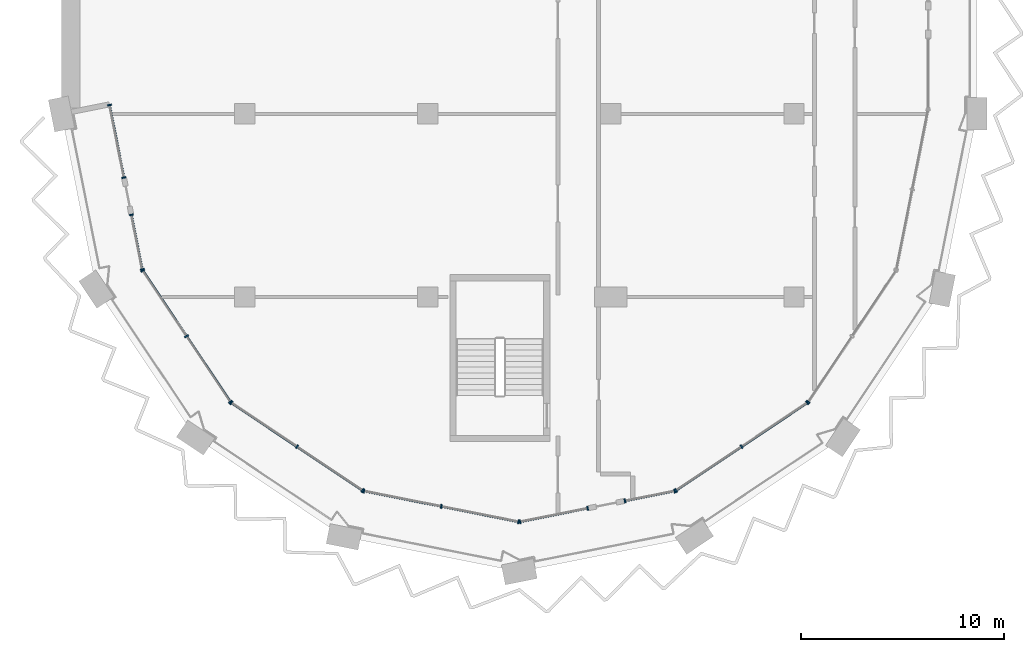
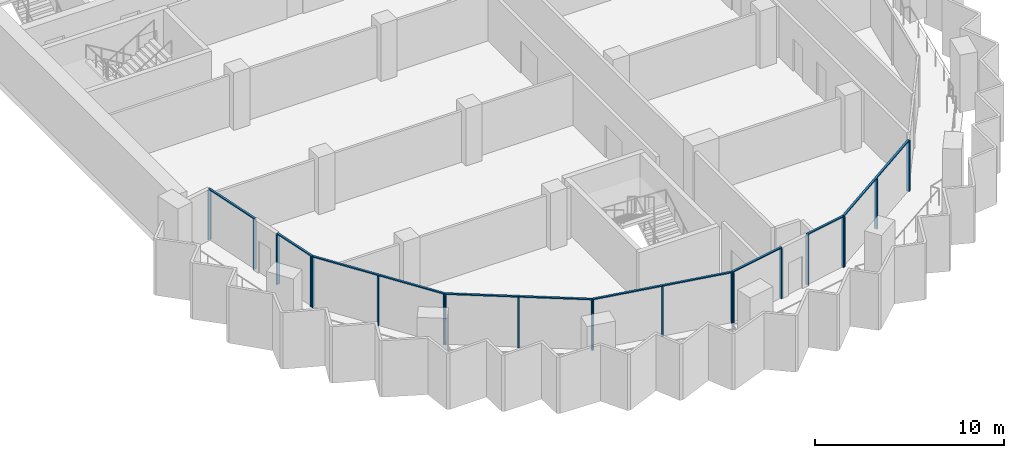
# One storey, part 2 of 15: 29 members, 9 elements without a shape of their own.
"""IFC4 building model written with IfcOpenShell, lengths in metres."""

from ifc_helpers import new_model, si_unit, direction, frame, origin, origin_2d, place, context, subcontext, project, spatial, rectangle, extrude, material, material_profile, profile_set, type_object, element, aggregate, save


model = new_model("IFC4")

# Units and contexts
model_context = context("Model", 3, precision=1e-05, world=origin(), true_north=direction((0.0, 1.0)))
body_context = subcontext(model_context, "Body", "Model", "MODEL_VIEW")
ifc_project = project(units=[si_unit("LENGTHUNIT", "METRE"), si_unit("AREAUNIT", "SQUARE_METRE"), si_unit("VOLUMEUNIT", "CUBIC_METRE"), si_unit("PLANEANGLEUNIT", "RADIAN"), si_unit("MASSUNIT", "GRAM", prefix="KILO")], contexts=[model_context])

# Site, building, storey
site_placement = place(None, origin())
site = spatial("IfcSite", under=ifc_project, at=site_placement, CompositionType="ELEMENT")
building_placement = place(site_placement, origin())
building = spatial("IfcBuilding", under=site, at=building_placement, Name="Hunhe Ridgeline Campus", CompositionType="ELEMENT")
storey_placement = place(building_placement, frame((0.0, 0.0, 231.800048828125)))
storey = spatial("IfcBuildingStorey", under=building, at=storey_placement, Name="L59", CompositionType="ELEMENT", Elevation=231.800048828125)

# Curtain wall, members
ifc_material = material(Name="Aluminium 6063", Category="aluminium")
curtain_wall_type = type_object("IfcCurtainWallType", Name="Curtain wall CW-5", PredefinedType="NOTDEFINED", material=ifc_material)
curtain_wall_1_placement = place(storey_placement, origin())
curtain_wall_1 = element("IfcCurtainWall", 1, at=curtain_wall_1_placement, inside=storey, type_object=curtain_wall_type, Name="Curtain wall 01", PredefinedType="NOTDEFINED")
ifc_material_profile_1 = material_profile(ifc_material, rectangle(XDim=0.199951171875, YDim=0.070068359375, at=origin_2d()))
ifc_profile_set_1 = profile_set([ifc_material_profile_1], Name="Aluminium 6063")
member_type_1 = type_object("IfcMemberType", Name="CW-5 aluminium mullion", PredefinedType="MULLION", material=ifc_profile_set_1)
member_1_placement = place(storey_placement, frame((2.361572265625, 45.434326171875, 0.0), z_axis=(0.0, 0.0, 1.0), x_axis=(0.980784284924, 0.195095326561, 0.0)))
member_1 = element("IfcMember", 2, at=member_1_placement, type_object=member_type_1, Name="CW-5 mullion 1", PredefinedType="MULLION", context=body_context, shape_type="SweptSolid", body=[
    extrude(rectangle(XDim=0.199951171875, YDim=0.070068359375, at=origin_2d()), origin(), (0.0, 0.0, 1.0), 3.22998046875),
])
member_2_placement = place(storey_placement, frame((3.070068359375, 41.873291015625, 0.0), z_axis=(0.0, 0.0, 1.0), x_axis=(0.980784284924, 0.195095326561, 0.0)))
member_2 = element("IfcMember", 3, at=member_2_placement, type_object=member_type_1, Name="CW-5 mullion 2", PredefinedType="MULLION", context=body_context, shape_type="SweptSolid", body=[
    extrude(rectangle(XDim=0.199951171875, YDim=0.070068359375, at=origin_2d()), origin(), (0.0, 0.0, 1.0), 3.22998046875),
])

curtain_wall_2_placement = place(storey_placement, origin())
curtain_wall_2 = element("IfcCurtainWall", 4, at=curtain_wall_2_placement, inside=storey, type_object=curtain_wall_type, Name="Curtain wall 02", PredefinedType="NOTDEFINED")
member_3_placement = place(storey_placement, frame((3.434814453125, 40.0390625, 0.0), z_axis=(0.0, 0.0, 1.0), x_axis=(0.980784297053, 0.195095265587, 0.0)))
member_3 = element("IfcMember", 5, at=member_3_placement, type_object=member_type_1, Name="CW-5 mullion 1", PredefinedType="MULLION", context=body_context, shape_type="SweptSolid", body=[
    extrude(rectangle(XDim=0.199951171875, YDim=0.070068359375, at=origin_2d()), origin(), (0.0, 0.0, 1.0), 3.22998046875),
])
member_4_placement = place(storey_placement, frame((3.967529296875, 37.36083984375, 0.0), z_axis=(0.0, 0.0, 1.0), x_axis=(0.980784297053, 0.195095265587, 0.0)))
member_4 = element("IfcMember", 6, at=member_4_placement, type_object=member_type_1, Name="CW-5 mullion 2", PredefinedType="MULLION", context=body_context, shape_type="SweptSolid", body=[
    extrude(rectangle(XDim=0.199951171875, YDim=0.070068359375, at=origin_2d()), origin(), (0.0, 0.0, 1.0), 3.22998046875),
])

curtain_wall_3_placement = place(storey_placement, origin())
curtain_wall_3 = element("IfcCurtainWall", 7, at=curtain_wall_3_placement, inside=storey, type_object=curtain_wall_type, Name="Curtain wall 03", PredefinedType="NOTDEFINED")
member_5_placement = place(storey_placement, frame((3.993896484375, 37.29736328125, 0.0), z_axis=(0.0, 0.0, 1.0), x_axis=(0.831469584522, 0.555570274596, 0.0)))
member_5 = element("IfcMember", 8, at=member_5_placement, type_object=member_type_1, Name="CW-5 mullion 1", PredefinedType="MULLION", context=body_context, shape_type="SweptSolid", body=[
    extrude(rectangle(XDim=0.199951171875, YDim=0.070068359375, at=origin_2d()), origin(), (0.0, 0.0, 1.0), 3.22998046875),
])
member_6_placement = place(storey_placement, frame((6.147705078125, 34.07373046875, 0.0), z_axis=(0.0, 0.0, 1.0), x_axis=(0.831469584522, 0.555570274596, 0.0)))
member_6 = element("IfcMember", 9, at=member_6_placement, type_object=member_type_1, Name="CW-5 mullion 2", PredefinedType="MULLION", context=body_context, shape_type="SweptSolid", body=[
    extrude(rectangle(XDim=0.199951171875, YDim=0.070068359375, at=origin_2d()), origin(), (0.0, 0.0, 1.0), 3.22998046875),
])
member_7_placement = place(storey_placement, frame((8.3017578125, 30.850341796875, 0.0), z_axis=(0.0, 0.0, 1.0), x_axis=(0.831469584522, 0.555570274596, 0.0)))
member_7 = element("IfcMember", 10, at=member_7_placement, type_object=member_type_1, Name="CW-5 mullion 3", PredefinedType="MULLION", context=body_context, shape_type="SweptSolid", body=[
    extrude(rectangle(XDim=0.199951171875, YDim=0.070068359375, at=origin_2d()), origin(), (0.0, 0.0, 1.0), 3.22998046875),
])

curtain_wall_4_placement = place(storey_placement, origin())
curtain_wall_4 = element("IfcCurtainWall", 11, at=curtain_wall_4_placement, inside=storey, type_object=curtain_wall_type, Name="Curtain wall 04", PredefinedType="NOTDEFINED")
member_8_placement = place(storey_placement, frame((8.350341796875, 30.8017578125, 0.0), z_axis=(0.0, 0.0, 1.0), x_axis=(0.555570274596, 0.831469584522, 0.0)))
member_8 = element("IfcMember", 12, at=member_8_placement, type_object=member_type_1, Name="CW-5 mullion 1", PredefinedType="MULLION", context=body_context, shape_type="SweptSolid", body=[
    extrude(rectangle(XDim=0.199951171875, YDim=0.070068359375, at=origin_2d()), origin(), (0.0, 0.0, 1.0), 3.22998046875),
])
member_9_placement = place(storey_placement, frame((11.57373046875, 28.647705078125, 0.0), z_axis=(0.0, 0.0, 1.0), x_axis=(0.555570274596, 0.831469584522, 0.0)))
member_9 = element("IfcMember", 13, at=member_9_placement, type_object=member_type_1, Name="CW-5 mullion 2", PredefinedType="MULLION", context=body_context, shape_type="SweptSolid", body=[
    extrude(rectangle(XDim=0.199951171875, YDim=0.070068359375, at=origin_2d()), origin(), (0.0, 0.0, 1.0), 3.22998046875),
])
member_10_placement = place(storey_placement, frame((14.79736328125, 26.493896484375, 0.0), z_axis=(0.0, 0.0, 1.0), x_axis=(0.555570274596, 0.831469584522, 0.0)))
member_10 = element("IfcMember", 14, at=member_10_placement, type_object=member_type_1, Name="CW-5 mullion 3", PredefinedType="MULLION", context=body_context, shape_type="SweptSolid", body=[
    extrude(rectangle(XDim=0.199951171875, YDim=0.070068359375, at=origin_2d()), origin(), (0.0, 0.0, 1.0), 3.22998046875),
])

curtain_wall_5_placement = place(storey_placement, origin())
curtain_wall_5 = element("IfcCurtainWall", 15, at=curtain_wall_5_placement, inside=storey, type_object=curtain_wall_type, Name="Curtain wall 05", PredefinedType="NOTDEFINED")
member_11_placement = place(storey_placement, frame((14.86083984375, 26.467529296875, 0.0), z_axis=(0.0, 0.0, 1.0), x_axis=(0.195090347539, 0.980785275326, 0.0)))
member_11 = element("IfcMember", 16, at=member_11_placement, type_object=member_type_1, Name="CW-5 mullion 1", PredefinedType="MULLION", context=body_context, shape_type="SweptSolid", body=[
    extrude(rectangle(XDim=0.199951171875, YDim=0.070068359375, at=origin_2d()), origin(), (0.0, 0.0, 1.0), 3.22998046875),
])
member_12_placement = place(storey_placement, frame((18.663330078125, 25.711181640625, 0.0), z_axis=(0.0, 0.0, 1.0), x_axis=(0.195090347539, 0.980785275326, 0.0)))
member_12 = element("IfcMember", 17, at=member_12_placement, type_object=member_type_1, Name="CW-5 mullion 2", PredefinedType="MULLION", context=body_context, shape_type="SweptSolid", body=[
    extrude(rectangle(XDim=0.199951171875, YDim=0.070068359375, at=origin_2d()), origin(), (0.0, 0.0, 1.0), 3.22998046875),
])
member_13_placement = place(storey_placement, frame((22.465576171875, 24.954833984375, 0.0), z_axis=(0.0, 0.0, 1.0), x_axis=(0.195090347539, 0.980785275326, 0.0)))
member_13 = element("IfcMember", 18, at=member_13_placement, type_object=member_type_1, Name="CW-5 mullion 3", PredefinedType="MULLION", context=body_context, shape_type="SweptSolid", body=[
    extrude(rectangle(XDim=0.199951171875, YDim=0.070068359375, at=origin_2d()), origin(), (0.0, 0.0, 1.0), 3.22998046875),
])

curtain_wall_6_placement = place(storey_placement, origin())
curtain_wall_6 = element("IfcCurtainWall", 19, at=curtain_wall_6_placement, inside=storey, type_object=curtain_wall_type, Name="Curtain wall 06", PredefinedType="NOTDEFINED")
member_14_placement = place(storey_placement, frame((22.534423828125, 24.954833984375, 0.0), z_axis=(0.0, 0.0, 1.0), x_axis=(-0.19509037034, 0.980785270791, 0.0)))
member_14 = element("IfcMember", 20, at=member_14_placement, type_object=member_type_1, Name="CW-5 mullion 1", PredefinedType="MULLION", context=body_context, shape_type="SweptSolid", body=[
    extrude(rectangle(XDim=0.199951171875, YDim=0.070068359375, at=origin_2d()), origin(), (0.0, 0.0, 1.0), 3.22998046875),
])
member_15_placement = place(storey_placement, frame((25.861083984375, 25.61669921875, 0.0), z_axis=(0.0, 0.0, 1.0), x_axis=(-0.19509037034, 0.980785270791, 0.0)))
member_15 = element("IfcMember", 21, at=member_15_placement, type_object=member_type_1, Name="CW-5 mullion 2", PredefinedType="MULLION", context=body_context, shape_type="SweptSolid", body=[
    extrude(rectangle(XDim=0.199951171875, YDim=0.070068359375, at=origin_2d()), origin(), (0.0, 0.0, 1.0), 3.22998046875),
])

curtain_wall_7_placement = place(storey_placement, origin())
curtain_wall_7 = element("IfcCurtainWall", 22, at=curtain_wall_7_placement, inside=storey, type_object=curtain_wall_type, Name="Curtain wall 07", PredefinedType="NOTDEFINED")
member_16_placement = place(storey_placement, frame((27.695068359375, 25.9814453125, 0.0), z_axis=(0.0, 0.0, 1.0), x_axis=(-0.195090514627, 0.980785242091, 0.0)))
member_16 = element("IfcMember", 23, at=member_16_placement, type_object=member_type_1, Name="CW-5 mullion 1", PredefinedType="MULLION", context=body_context, shape_type="SweptSolid", body=[
    extrude(rectangle(XDim=0.199951171875, YDim=0.070068359375, at=origin_2d()), origin(), (0.0, 0.0, 1.0), 3.22998046875),
])
member_17_placement = place(storey_placement, frame((30.13916015625, 26.467529296875, 0.0), z_axis=(0.0, 0.0, 1.0), x_axis=(-0.195090514627, 0.980785242091, 0.0)))
member_17 = element("IfcMember", 24, at=member_17_placement, type_object=member_type_1, Name="CW-5 mullion 2", PredefinedType="MULLION", context=body_context, shape_type="SweptSolid", body=[
    extrude(rectangle(XDim=0.199951171875, YDim=0.070068359375, at=origin_2d()), origin(), (0.0, 0.0, 1.0), 3.22998046875),
])

curtain_wall_8_placement = place(storey_placement, origin())
curtain_wall_8 = element("IfcCurtainWall", 25, at=curtain_wall_8_placement, inside=storey, type_object=curtain_wall_type, Name="Curtain wall 08", PredefinedType="NOTDEFINED")
member_18_placement = place(storey_placement, frame((30.20263671875, 26.493896484375, 0.0), z_axis=(0.0, 0.0, 1.0), x_axis=(-0.555570274596, 0.831469584522, 0.0)))
member_18 = element("IfcMember", 26, at=member_18_placement, type_object=member_type_1, Name="CW-5 mullion 1", PredefinedType="MULLION", context=body_context, shape_type="SweptSolid", body=[
    extrude(rectangle(XDim=0.199951171875, YDim=0.070068359375, at=origin_2d()), origin(), (0.0, 0.0, 1.0), 3.22998046875),
])
member_19_placement = place(storey_placement, frame((33.42626953125, 28.647705078125, 0.0), z_axis=(0.0, 0.0, 1.0), x_axis=(-0.555570274596, 0.831469584522, 0.0)))
member_19 = element("IfcMember", 27, at=member_19_placement, type_object=member_type_1, Name="CW-5 mullion 2", PredefinedType="MULLION", context=body_context, shape_type="SweptSolid", body=[
    extrude(rectangle(XDim=0.199951171875, YDim=0.070068359375, at=origin_2d()), origin(), (0.0, 0.0, 1.0), 3.22998046875),
])
member_20_placement = place(storey_placement, frame((36.649658203125, 30.8017578125, 0.0), z_axis=(0.0, 0.0, 1.0), x_axis=(-0.555570274596, 0.831469584522, 0.0)))
member_20 = element("IfcMember", 28, at=member_20_placement, type_object=member_type_1, Name="CW-5 mullion 3", PredefinedType="MULLION", context=body_context, shape_type="SweptSolid", body=[
    extrude(rectangle(XDim=0.199951171875, YDim=0.070068359375, at=origin_2d()), origin(), (0.0, 0.0, 1.0), 3.22998046875),
])

# Curtain wall, member
curtain_wall_9_placement = place(storey_placement, origin())
curtain_wall_9 = element("IfcCurtainWall", 29, at=curtain_wall_9_placement, inside=storey, type_object=curtain_wall_type, Name="Curtain wall 09", PredefinedType="NOTDEFINED")
member_21_placement = place(storey_placement, frame((36.6982421875, 30.850341796875, 0.0), z_axis=(0.0, 0.0, 1.0), x_axis=(-0.831469584522, 0.555570274596, 0.0)))
member_21 = element("IfcMember", 30, at=member_21_placement, type_object=member_type_1, Name="CW-5 mullion 1", PredefinedType="MULLION", context=body_context, shape_type="SweptSolid", body=[
    extrude(rectangle(XDim=0.199951171875, YDim=0.070068359375, at=origin_2d()), origin(), (0.0, 0.0, 1.0), 3.22998046875),
])
aggregate(curtain_wall_9, [member_21])

# Member
ifc_material_profile_2 = material_profile(ifc_material, rectangle(XDim=0.1201171875, YDim=0.070068359375, at=origin_2d()))
ifc_profile_set_2 = profile_set([ifc_material_profile_2], Name="Aluminium 6063")
member_type_2 = type_object("IfcMemberType", Name="CW-5 aluminium transom", PredefinedType="USERDEFINED", material=ifc_profile_set_2)
member_22_placement = place(storey_placement, frame((2.354736328125, 45.46875, 3.264892578125), z_axis=(0.195126549745, -0.980778073564, 0.0), x_axis=(0.980778073564, 0.195126549745, 0.0)))
member_22 = element("IfcMember", 31, at=member_22_placement, type_object=member_type_2, Name="CW-5 transom 1", ObjectType="TRANSOM", PredefinedType="USERDEFINED", context=body_context, shape_type="SweptSolid", body=[
    extrude(rectangle(XDim=0.1201171875, YDim=0.070068359375, at=origin_2d()), origin(), (0.0, 0.0, 1.0), 3.700927734375),
])

aggregate(curtain_wall_1, [member_22, member_1, member_2])

member_23_placement = place(storey_placement, frame((3.427978515625, 40.073486328125, 3.264892578125), z_axis=(0.195076742145, -0.98078798151, 0.0), x_axis=(0.98078798151, 0.195076742145, 0.0)))
member_23 = element("IfcMember", 32, at=member_23_placement, type_object=member_type_2, Name="CW-5 transom 1", ObjectType="TRANSOM", PredefinedType="USERDEFINED", context=body_context, shape_type="SweptSolid", body=[
    extrude(rectangle(XDim=0.1201171875, YDim=0.070068359375, at=origin_2d()), origin(), (0.0, 0.0, 1.0), 2.80078125),
])

aggregate(curtain_wall_2, [member_23, member_3, member_4])

member_24_placement = place(storey_placement, frame((3.974365234375, 37.326416015625, 3.264892578125), z_axis=(0.5555640203, -0.831473763475, 0.0), x_axis=(0.831473763475, 0.5555640203, 0.0)))
member_24 = element("IfcMember", 33, at=member_24_placement, type_object=member_type_2, Name="CW-5 transom 1", ObjectType="TRANSOM", PredefinedType="USERDEFINED", context=body_context, shape_type="SweptSolid", body=[
    extrude(rectangle(XDim=0.1201171875, YDim=0.070068359375, at=origin_2d()), origin(), (0.0, 0.0, 1.0), 7.823974609375),
])

aggregate(curtain_wall_3, [member_24, member_5, member_6, member_7])

member_25_placement = place(storey_placement, frame((8.321044921875, 30.821044921875, 3.264892578125), z_axis=(0.831473763475, -0.5555640203, 0.0), x_axis=(0.5555640203, 0.831473763475, 0.0)))
member_25 = element("IfcMember", 34, at=member_25_placement, type_object=member_type_2, Name="CW-5 transom 1", ObjectType="TRANSOM", PredefinedType="USERDEFINED", context=body_context, shape_type="SweptSolid", body=[
    extrude(rectangle(XDim=0.1201171875, YDim=0.070068359375, at=origin_2d()), origin(), (0.0, 0.0, 1.0), 7.823974609375),
])

aggregate(curtain_wall_4, [member_25, member_8, member_9, member_10])

member_26_placement = place(storey_placement, frame((14.826416015625, 26.474365234375, 3.264892578125), z_axis=(0.980785367689, -0.195089883198, 0.0), x_axis=(0.195089883198, 0.980785367689, 0.0)))
member_26 = element("IfcMember", 35, at=member_26_placement, type_object=member_type_2, Name="CW-5 transom 1", ObjectType="TRANSOM", PredefinedType="USERDEFINED", context=body_context, shape_type="SweptSolid", body=[
    extrude(rectangle(XDim=0.1201171875, YDim=0.070068359375, at=origin_2d()), origin(), (0.0, 0.0, 1.0), 7.823974609375),
])

aggregate(curtain_wall_5, [member_26, member_11, member_12, member_13])

member_27_placement = place(storey_placement, frame((22.5, 24.947998046875, 3.264892578125), z_axis=(0.980778171596, 0.195126057004, 0.0), x_axis=(-0.195126057004, 0.980778171596, 0.0)))
member_27 = element("IfcMember", 36, at=member_27_placement, type_object=member_type_2, Name="CW-5 transom 1", ObjectType="TRANSOM", PredefinedType="USERDEFINED", context=body_context, shape_type="SweptSolid", body=[
    extrude(rectangle(XDim=0.1201171875, YDim=0.070068359375, at=origin_2d()), origin(), (0.0, 0.0, 1.0), 3.462158203125),
])

aggregate(curtain_wall_6, [member_27, member_14, member_15])

member_28_placement = place(storey_placement, frame((27.660888671875, 25.974609375, 3.264892578125), z_axis=(0.980789038007, 0.195071430315, 0.0), x_axis=(-0.195071430315, 0.980789038007, 0.0)))
member_28 = element("IfcMember", 37, at=member_28_placement, type_object=member_type_2, Name="CW-5 transom 1", ObjectType="TRANSOM", PredefinedType="USERDEFINED", context=body_context, shape_type="SweptSolid", body=[
    extrude(rectangle(XDim=0.1201171875, YDim=0.070068359375, at=origin_2d()), origin(), (0.0, 0.0, 1.0), 2.56201171875),
])

aggregate(curtain_wall_7, [member_28, member_16, member_17])

member_29_placement = place(storey_placement, frame((30.173583984375, 26.474365234375, 3.264892578125), z_axis=(0.831473763475, 0.5555640203, 0.0), x_axis=(-0.5555640203, 0.831473763475, 0.0)))
member_29 = element("IfcMember", 38, at=member_29_placement, type_object=member_type_2, Name="CW-5 transom 1", ObjectType="TRANSOM", PredefinedType="USERDEFINED", context=body_context, shape_type="SweptSolid", body=[
    extrude(rectangle(XDim=0.1201171875, YDim=0.070068359375, at=origin_2d()), origin(), (0.0, 0.0, 1.0), 7.823974609375),
])

aggregate(curtain_wall_8, [member_29, member_18, member_19, member_20])

save(model, "model.ifc")
